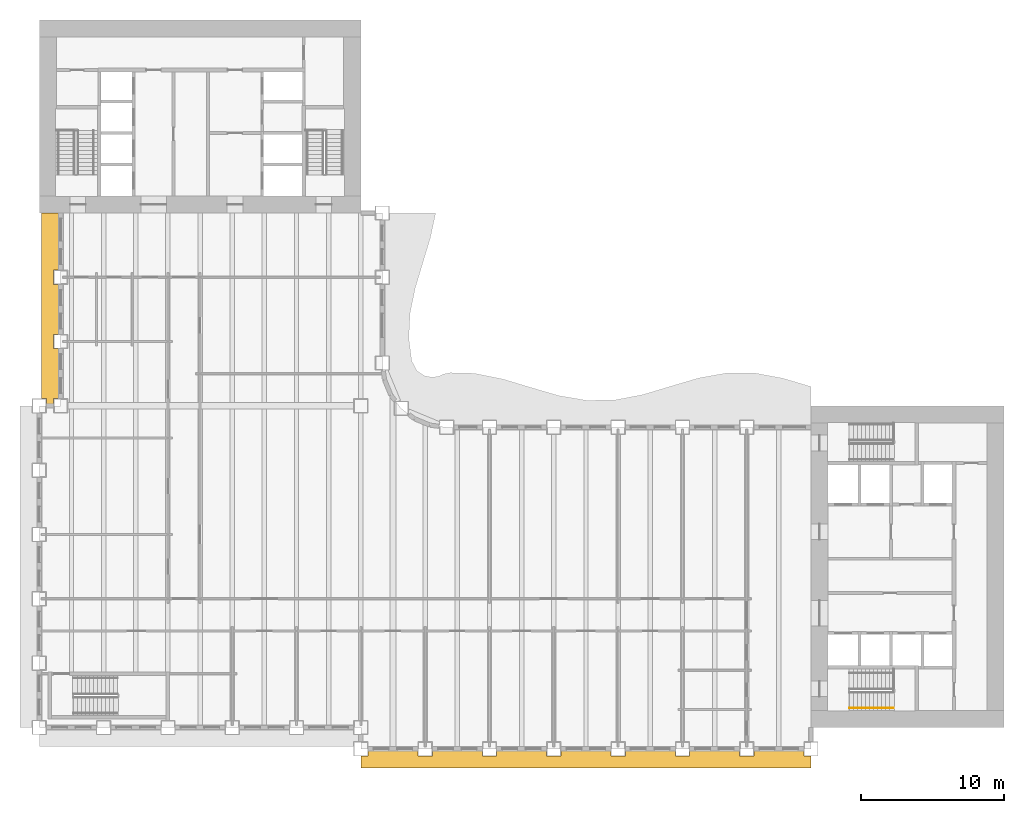
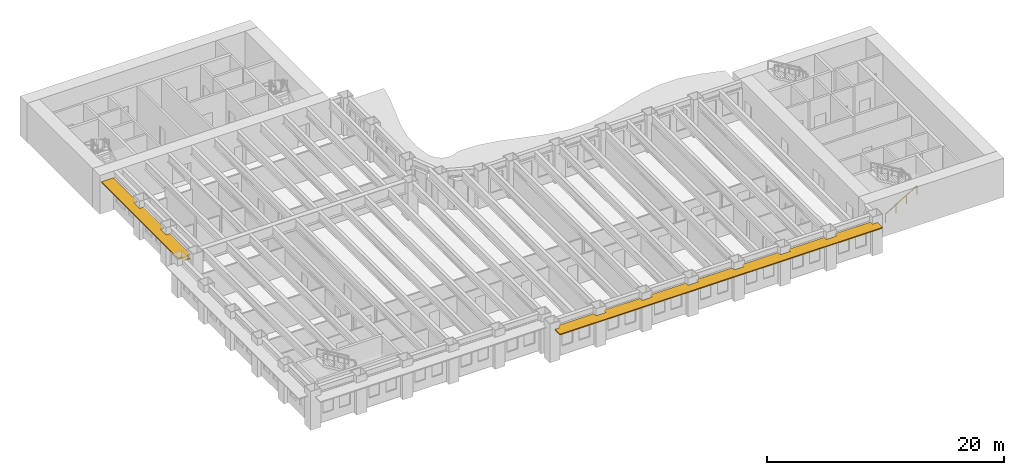
# One storey, part 12 of 16: 2 shading devices, 1 railing.
"""IFC4 building model written with IfcOpenShell, lengths in metres."""

from ifc_helpers import new_model, si_unit, direction, frame, origin, origin_2d, place, context, subcontext, project, spatial, polyline, rectangle, outline, extrude, material, layer, layer_set, type_object, element, save


model = new_model("IFC4")

# Units and contexts
model_context = context("Model", 3, precision=1e-05, world=origin(), true_north=direction((0.0, 1.0)))
body_context = subcontext(model_context, "Body", "Model", "MODEL_VIEW")
ifc_project = project(units=[si_unit("LENGTHUNIT", "METRE"), si_unit("AREAUNIT", "SQUARE_METRE"), si_unit("VOLUMEUNIT", "CUBIC_METRE"), si_unit("PLANEANGLEUNIT", "RADIAN"), si_unit("MASSUNIT", "GRAM", prefix="KILO")], contexts=[model_context])

# Site, building, storey
site_placement = place(None, origin())
site = spatial("IfcSite", under=ifc_project, at=site_placement, CompositionType="ELEMENT")
building_placement = place(site_placement, origin())
building = spatial("IfcBuilding", under=site, at=building_placement, Name="Sennacour Bend Tower", CompositionType="ELEMENT")
storey_placement = place(building_placement, frame((0.0, 0.0, 111.0)))
storey = spatial("IfcBuildingStorey", under=building, at=storey_placement, Name="L25", CompositionType="ELEMENT", Elevation=111.0)

# Railing
ifc_material_1 = material(Name="Stainless steel", Category="steel")
railing_type = type_object("IfcRailingType", Name="RL-HANDRAIL-900", PredefinedType="HANDRAIL", material=ifc_material_1)
railing_placement = place(storey_placement, frame((56.699951171875, 1.35009765625, 0.166748046875)))
element("IfcRailing", 1, at=railing_placement, inside=storey, type_object=railing_type, Name="L25 SA1 stair handrail 1", PredefinedType="HANDRAIL", context=body_context, shape_type="SweptSolid", body=[
    extrude(rectangle(XDim=0.048095703125, YDim=0.048095703125, at=origin_2d()), frame((0.0, 0.0, 0.8759765625), z_axis=(0.859308565015, 0.0, 0.511457515432), x_axis=(0.0, 1.0, 0.0)), (0.0, 0.0, 1.0), 3.58447265625),
    extrude(rectangle(XDim=0.0419921875, YDim=0.0419921875, at=origin_2d()), origin(), (0.0, 0.0, 1.0), 0.851806640625),
    extrude(rectangle(XDim=0.0419921875, YDim=0.0419921875, at=origin_2d()), frame((1.026611328125, 0.0, 0.611083984375)), (0.0, 0.0, 1.0), 0.851806640625),
    extrude(rectangle(XDim=0.0419921875, YDim=0.0419921875, at=origin_2d()), frame((2.053466796875, 0.0, 1.22216796875)), (0.0, 0.0, 1.0), 0.851806640625),
    extrude(rectangle(XDim=0.0419921875, YDim=0.0419921875, at=origin_2d()), frame((3.080078125, 0.0, 1.833251953125)), (0.0, 0.0, 1.0), 0.851806640625),
])

# Shading devices
ifc_material_2 = material(Name="Bronze anodised aluminium", Category="aluminium")
ifc_layer = layer(ifc_material_2, 0.10009765625, Name="Bronze anodised aluminium", Category="aluminium")
ifc_layer_set = layer_set([ifc_layer], Name="Bronze anodised aluminium")
shading_device_type = type_object("IfcShadingDeviceType", Name="SUNSHADE BAND STRAIGHT", PredefinedType="USERDEFINED", material=ifc_layer_set)
shading_device_1_placement = place(storey_placement, frame((0.0, 0.0, 3.053955078125)))
element("IfcShadingDevice", 2, at=shading_device_1_placement, inside=storey, type_object=shading_device_type, Name="Sunshade band L25 A outer face", ObjectType="SUNSHADE", PredefinedType="USERDEFINED", context=body_context, shape_type="SweptSolid", body=[
    extrude(outline(polyline([(26.5, -1.64990234375), (26.5, -2.0), (27.5, -2.0), (27.5, -1.64990234375), (31.0, -1.64990234375), (31.0, -2.0), (32.0, -2.0), (32.0, -1.64990234375), (35.5, -1.64990234375), (35.5, -2.0), (36.5, -2.0), (36.5, -1.64990234375), (40.0, -1.64990234375), (40.0, -2.0), (41.0, -2.0), (41.0, -1.64990234375), (44.5, -1.64990234375), (44.5, -2.0), (45.5, -2.0), (45.5, -1.64990234375), (49.0, -1.64990234375), (49.0, -2.0), (50.0, -2.0), (50.0, -1.64990234375), (53.5, -1.64990234375), (53.5, -2.0), (54.0, -2.0), (54.0, -2.85009765625), (22.5, -2.85009765625), (22.5, -2.0), (23.0, -2.0), (23.0, -1.64990234375), (26.5, -1.64990234375)])), origin(), (0.0, 0.0, 1.0), 0.10009765625),
])
shading_device_2_placement = place(storey_placement, frame((0.0, 0.0, 3.053955078125)))
element("IfcShadingDevice", 3, at=shading_device_2_placement, inside=storey, type_object=shading_device_type, Name="Sunshade band L25 B outer face", ObjectType="SUNSHADE", PredefinedType="USERDEFINED", context=body_context, shape_type="SweptSolid", body=[
    extrude(outline(polyline([(1.35009765625, 32.0), (1.0, 32.0), (1.0, 31.0), (1.35009765625, 31.0), (1.35009765625, 27.5), (1.0, 27.5), (1.0, 26.5), (1.35009765625, 26.5), (1.35009765625, 23.0), (1.0, 23.0), (1.0, 22.5), (0.5, 22.5), (0.5, 23.0), (0.14990234375, 23.0), (0.14990234375, 36.0), (1.35009765625, 36.0), (1.35009765625, 32.0)])), origin(), (0.0, 0.0, 1.0), 0.10009765625),
])

save(model, "model.ifc")
